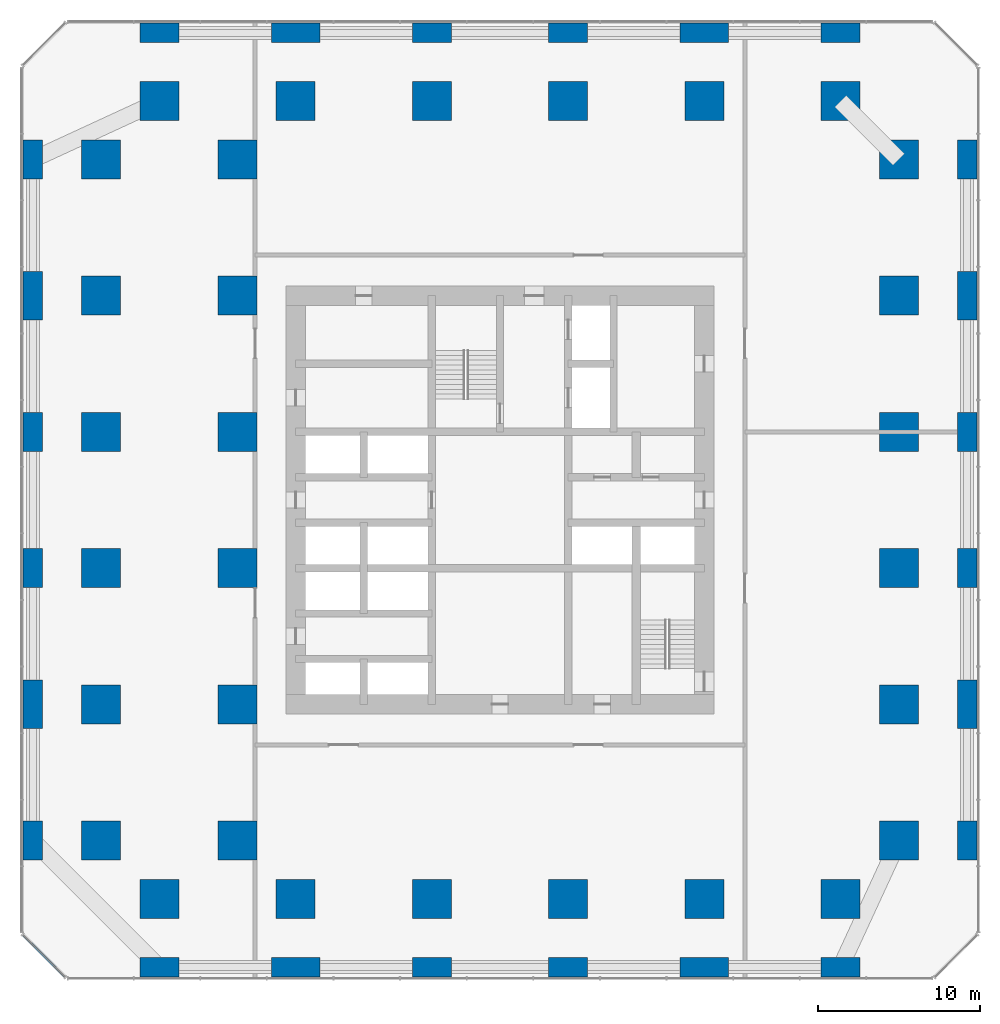
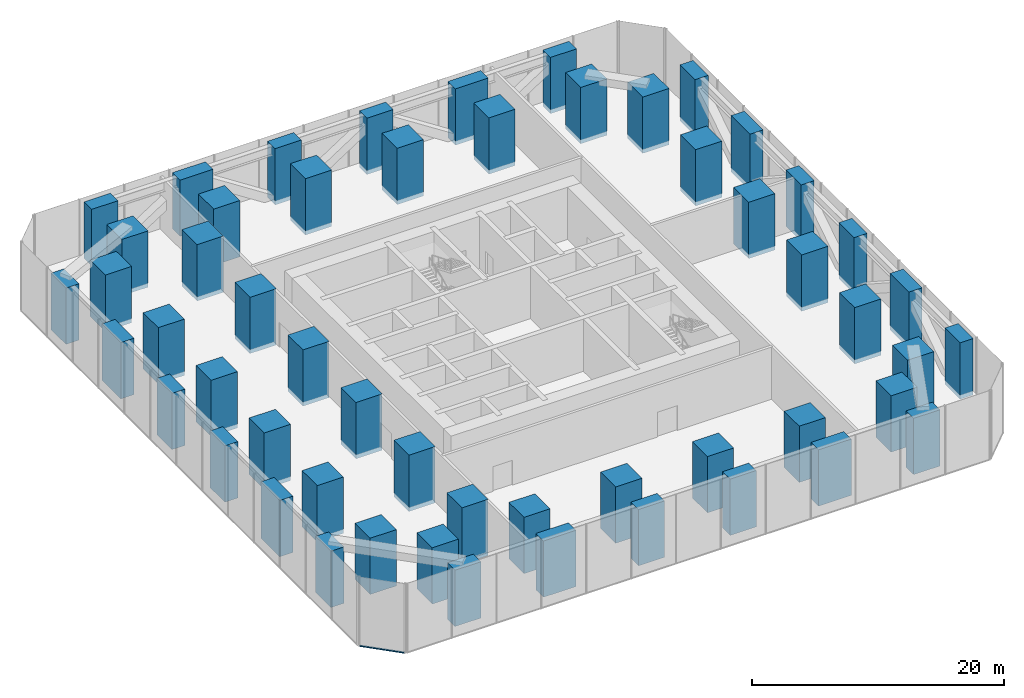
# One storey, part 1 of 11: 54 columns, 1 member, 1 element without a shape of its own.
"""IFC4 building model written with IfcOpenShell, lengths in metres."""

from ifc_helpers import new_model, si_unit, direction, frame, origin, origin_2d, place, context, subcontext, project, spatial, rectangle, extrude, material, material_profile, profile_set, type_object, element, aggregate, save


model = new_model("IFC4")

# Units and contexts
model_context = context("Model", 3, precision=1e-05, world=origin(), true_north=direction((0.0, 1.0)))
body_context = subcontext(model_context, "Body", "Model", "MODEL_VIEW")
ifc_project = project(units=[si_unit("LENGTHUNIT", "METRE"), si_unit("AREAUNIT", "SQUARE_METRE"), si_unit("VOLUMEUNIT", "CUBIC_METRE"), si_unit("PLANEANGLEUNIT", "RADIAN"), si_unit("MASSUNIT", "GRAM", prefix="KILO")], contexts=[model_context])

# Site, building, storey
site_placement = place(None, origin())
site = spatial("IfcSite", under=ifc_project, at=site_placement, CompositionType="ELEMENT")
building_placement = place(site_placement, origin())
building = spatial("IfcBuilding", under=site, at=building_placement, Name="Dunama Terrace Hotel", CompositionType="ELEMENT")
storey_placement = place(building_placement, frame((0.0, 0.0, 88.199951171875)))
storey = spatial("IfcBuildingStorey", under=building, at=storey_placement, Name="L22", CompositionType="ELEMENT", Elevation=88.199951171875)

# Columns
ifc_material_1 = material(Name="Concrete C60/75", Category="concrete")
ifc_material_profile_1 = material_profile(ifc_material_1, rectangle(XDim=1.199951171875, YDim=2.39990234375, at=origin_2d()), Name="RC 1200x2400")
ifc_profile_set_1 = profile_set([ifc_material_profile_1], Name="Concrete C60/75")
column_type_1 = type_object("IfcColumnType", Name="Column RC 1200x2400", PredefinedType="COLUMN", material=ifc_profile_set_1)
for number, where, z_axis, x_axis, name in (
    (1, (0.60009765625, 8.39990234375, -0.39990234375), (0.0, 0.0, 1.0), (1.0, 0.0, 0.0), "Column L22 +0.6/+8.4"),
    (2, (0.60009765625, 25.199951171875, -0.39990234375), (0.0, 0.0, 1.0), (1.0, 0.0, 0.0), "Column L22 +0.6/+25.2"),
    (3, (0.60009765625, 33.60009765625, -0.39990234375), (0.0, 0.0, 1.0), (1.0, 0.0, 0.0), "Column L22 +0.6/+33.6"),
    (4, (0.60009765625, 50.39990234375, -0.39990234375), (0.0, 0.0, 1.0), (1.0, 0.0, 0.0), "Column L22 +0.6/+50.4"),
    (5, (58.199951171875, 8.39990234375, -0.39990234375), (0.0, 0.0, 1.0), (1.0, 0.0, 0.0), "Column L22 +58.2/+8.4"),
    (6, (58.199951171875, 25.199951171875, -0.39990234375), (0.0, 0.0, 1.0), (1.0, 0.0, 0.0), "Column L22 +58.2/+25.2"),
    (7, (58.199951171875, 33.60009765625, -0.39990234375), (0.0, 0.0, 1.0), (1.0, 0.0, 0.0), "Column L22 +58.2/+33.6"),
    (8, (58.199951171875, 50.39990234375, -0.39990234375), (0.0, 0.0, 1.0), (1.0, 0.0, 0.0), "Column L22 +58.2/+50.4"),
):
    element("IfcColumn", number, at=place(storey_placement, frame(where, z_axis=z_axis, x_axis=x_axis)), inside=storey, type_object=column_type_1, Name=name, PredefinedType="COLUMN", context=body_context, shape_type="SweptSolid", body=[
        extrude(rectangle(XDim=1.199951171875, YDim=2.39990234375, at=origin_2d()), origin(), (0.0, 0.0, 1.0), 5.449951171875),
    ])
ifc_material_2 = material(Name="Concrete C60/75", Category="concrete")
ifc_material_profile_2 = material_profile(ifc_material_2, rectangle(XDim=1.199951171875, YDim=3.0, at=origin_2d()), Name="RC 1200x3000")
ifc_profile_set_2 = profile_set([ifc_material_profile_2], Name="Concrete C60/75")
column_type_2 = type_object("IfcColumnType", Name="Column RC 1200x3000", PredefinedType="COLUMN", material=ifc_profile_set_2)
for number, where, z_axis, x_axis, name in (
    (9, (0.60009765625, 16.800048828125, -0.39990234375), (0.0, 0.0, 1.0), (1.0, 0.0, 0.0), "Column L22 +0.6/+16.8"),
    (10, (0.60009765625, 42.0, -0.39990234375), (0.0, 0.0, 1.0), (1.0, 0.0, 0.0), "Column L22 +0.6/+42.0"),
    (11, (58.199951171875, 16.800048828125, -0.39990234375), (0.0, 0.0, 1.0), (1.0, 0.0, 0.0), "Column L22 +58.2/+16.8"),
    (12, (58.199951171875, 42.0, -0.39990234375), (0.0, 0.0, 1.0), (1.0, 0.0, 0.0), "Column L22 +58.2/+42.0"),
):
    element("IfcColumn", number, at=place(storey_placement, frame(where, z_axis=z_axis, x_axis=x_axis)), inside=storey, type_object=column_type_2, Name=name, PredefinedType="COLUMN", context=body_context, shape_type="SweptSolid", body=[
        extrude(rectangle(XDim=1.199951171875, YDim=3.0, at=origin_2d()), origin(), (0.0, 0.0, 1.0), 5.449951171875),
    ])
ifc_material_3 = material(Name="Concrete C60/75", Category="concrete")
ifc_material_profile_3 = material_profile(ifc_material_3, rectangle(XDim=2.39990234375, YDim=1.199951171875, at=origin_2d()), Name="RC 2400x1200")
ifc_profile_set_3 = profile_set([ifc_material_profile_3], Name="Concrete C60/75")
column_type_3 = type_object("IfcColumnType", Name="Column RC 2400x1200", PredefinedType="COLUMN", material=ifc_profile_set_3)
for number, where, z_axis, x_axis, name in (
    (13, (8.39990234375, 0.60009765625, -0.39990234375), (0.0, 0.0, 1.0), (1.0, 0.0, 0.0), "Column L22 +8.4/+0.6"),
    (14, (8.39990234375, 58.199951171875, -0.39990234375), (0.0, 0.0, 1.0), (1.0, 0.0, 0.0), "Column L22 +8.4/+58.2"),
    (15, (25.199951171875, 0.60009765625, -0.39990234375), (0.0, 0.0, 1.0), (1.0, 0.0, 0.0), "Column L22 +25.2/+0.6"),
    (16, (25.199951171875, 58.199951171875, -0.39990234375), (0.0, 0.0, 1.0), (1.0, 0.0, 0.0), "Column L22 +25.2/+58.2"),
    (17, (33.60009765625, 0.60009765625, -0.39990234375), (0.0, 0.0, 1.0), (1.0, 0.0, 0.0), "Column L22 +33.6/+0.6"),
    (18, (33.60009765625, 58.199951171875, -0.39990234375), (0.0, 0.0, 1.0), (1.0, 0.0, 0.0), "Column L22 +33.6/+58.2"),
    (19, (50.39990234375, 0.60009765625, -0.39990234375), (0.0, 0.0, 1.0), (1.0, 0.0, 0.0), "Column L22 +50.4/+0.6"),
    (20, (50.39990234375, 58.199951171875, -0.39990234375), (0.0, 0.0, 1.0), (1.0, 0.0, 0.0), "Column L22 +50.4/+58.2"),
):
    element("IfcColumn", number, at=place(storey_placement, frame(where, z_axis=z_axis, x_axis=x_axis)), inside=storey, type_object=column_type_3, Name=name, PredefinedType="COLUMN", context=body_context, shape_type="SweptSolid", body=[
        extrude(rectangle(XDim=2.39990234375, YDim=1.199951171875, at=origin_2d()), origin(), (0.0, 0.0, 1.0), 5.449951171875),
    ])
ifc_material_4 = material(Name="Concrete C60/75", Category="concrete")
ifc_material_profile_4 = material_profile(ifc_material_4, rectangle(XDim=2.39990234375, YDim=2.39990234375, at=origin_2d()), Name="RC 2400x2400")
ifc_profile_set_4 = profile_set([ifc_material_profile_4], Name="Concrete C60/75")
column_type_4 = type_object("IfcColumnType", Name="Column RC 2400x2400", PredefinedType="COLUMN", material=ifc_profile_set_4)
for number, where, z_axis, x_axis, name in (
    (21, (4.800048828125, 8.39990234375, -0.39990234375), (0.0, 0.0, 1.0), (1.0, 0.0, 0.0), "Column L22 +4.8/+8.4"),
    (22, (4.800048828125, 16.800048828125, -0.39990234375), (0.0, 0.0, 1.0), (1.0, 0.0, 0.0), "Column L22 +4.8/+16.8"),
    (23, (4.800048828125, 25.199951171875, -0.39990234375), (0.0, 0.0, 1.0), (1.0, 0.0, 0.0), "Column L22 +4.8/+25.2"),
    (24, (4.800048828125, 33.60009765625, -0.39990234375), (0.0, 0.0, 1.0), (1.0, 0.0, 0.0), "Column L22 +4.8/+33.6"),
    (25, (4.800048828125, 42.0, -0.39990234375), (0.0, 0.0, 1.0), (1.0, 0.0, 0.0), "Column L22 +4.8/+42.0"),
    (26, (4.800048828125, 50.39990234375, -0.39990234375), (0.0, 0.0, 1.0), (1.0, 0.0, 0.0), "Column L22 +4.8/+50.4"),
    (27, (8.39990234375, 4.800048828125, -0.39990234375), (0.0, 0.0, 1.0), (1.0, 0.0, 0.0), "Column L22 +8.4/+4.8"),
    (28, (8.39990234375, 54.0, -0.39990234375), (0.0, 0.0, 1.0), (1.0, 0.0, 0.0), "Column L22 +8.4/+54.0"),
    (29, (13.199951171875, 8.39990234375, -0.39990234375), (0.0, 0.0, 1.0), (1.0, 0.0, 0.0), "Column L22 +13.2/+8.4"),
    (30, (13.199951171875, 16.800048828125, -0.39990234375), (0.0, 0.0, 1.0), (1.0, 0.0, 0.0), "Column L22 +13.2/+16.8"),
    (31, (13.199951171875, 25.199951171875, -0.39990234375), (0.0, 0.0, 1.0), (1.0, 0.0, 0.0), "Column L22 +13.2/+25.2"),
    (32, (13.199951171875, 33.60009765625, -0.39990234375), (0.0, 0.0, 1.0), (1.0, 0.0, 0.0), "Column L22 +13.2/+33.6"),
    (33, (13.199951171875, 42.0, -0.39990234375), (0.0, 0.0, 1.0), (1.0, 0.0, 0.0), "Column L22 +13.2/+42.0"),
    (34, (13.199951171875, 50.39990234375, -0.39990234375), (0.0, 0.0, 1.0), (1.0, 0.0, 0.0), "Column L22 +13.2/+50.4"),
    (35, (16.800048828125, 4.800048828125, -0.39990234375), (0.0, 0.0, 1.0), (1.0, 0.0, 0.0), "Column L22 +16.8/+4.8"),
    (36, (16.800048828125, 54.0, -0.39990234375), (0.0, 0.0, 1.0), (1.0, 0.0, 0.0), "Column L22 +16.8/+54.0"),
    (37, (25.199951171875, 4.800048828125, -0.39990234375), (0.0, 0.0, 1.0), (1.0, 0.0, 0.0), "Column L22 +25.2/+4.8"),
    (38, (25.199951171875, 54.0, -0.39990234375), (0.0, 0.0, 1.0), (1.0, 0.0, 0.0), "Column L22 +25.2/+54.0"),
    (39, (33.60009765625, 4.800048828125, -0.39990234375), (0.0, 0.0, 1.0), (1.0, 0.0, 0.0), "Column L22 +33.6/+4.8"),
    (40, (33.60009765625, 54.0, -0.39990234375), (0.0, 0.0, 1.0), (1.0, 0.0, 0.0), "Column L22 +33.6/+54.0"),
    (41, (42.0, 4.800048828125, -0.39990234375), (0.0, 0.0, 1.0), (1.0, 0.0, 0.0), "Column L22 +42.0/+4.8"),
    (42, (42.0, 54.0, -0.39990234375), (0.0, 0.0, 1.0), (1.0, 0.0, 0.0), "Column L22 +42.0/+54.0"),
    (43, (50.39990234375, 4.800048828125, -0.39990234375), (0.0, 0.0, 1.0), (1.0, 0.0, 0.0), "Column L22 +50.4/+4.8"),
    (44, (50.39990234375, 54.0, -0.39990234375), (0.0, 0.0, 1.0), (1.0, 0.0, 0.0), "Column L22 +50.4/+54.0"),
    (45, (54.0, 8.39990234375, -0.39990234375), (0.0, 0.0, 1.0), (1.0, 0.0, 0.0), "Column L22 +54.0/+8.4"),
    (46, (54.0, 16.800048828125, -0.39990234375), (0.0, 0.0, 1.0), (1.0, 0.0, 0.0), "Column L22 +54.0/+16.8"),
    (47, (54.0, 25.199951171875, -0.39990234375), (0.0, 0.0, 1.0), (1.0, 0.0, 0.0), "Column L22 +54.0/+25.2"),
    (48, (54.0, 33.60009765625, -0.39990234375), (0.0, 0.0, 1.0), (1.0, 0.0, 0.0), "Column L22 +54.0/+33.6"),
    (49, (54.0, 42.0, -0.39990234375), (0.0, 0.0, 1.0), (1.0, 0.0, 0.0), "Column L22 +54.0/+42.0"),
    (50, (54.0, 50.39990234375, -0.39990234375), (0.0, 0.0, 1.0), (1.0, 0.0, 0.0), "Column L22 +54.0/+50.4"),
):
    element("IfcColumn", number, at=place(storey_placement, frame(where, z_axis=z_axis, x_axis=x_axis)), inside=storey, type_object=column_type_4, Name=name, PredefinedType="COLUMN", context=body_context, shape_type="SweptSolid", body=[
        extrude(rectangle(XDim=2.39990234375, YDim=2.39990234375, at=origin_2d()), origin(), (0.0, 0.0, 1.0), 5.449951171875),
    ])
ifc_material_5 = material(Name="Concrete C60/75", Category="concrete")
ifc_material_profile_5 = material_profile(ifc_material_5, rectangle(XDim=3.0, YDim=1.199951171875, at=origin_2d()), Name="RC 3000x1200")
ifc_profile_set_5 = profile_set([ifc_material_profile_5], Name="Concrete C60/75")
column_type_5 = type_object("IfcColumnType", Name="Column RC 3000x1200", PredefinedType="COLUMN", material=ifc_profile_set_5)
for number, where, z_axis, x_axis, name in (
    (51, (16.800048828125, 0.60009765625, -0.39990234375), (0.0, 0.0, 1.0), (1.0, 0.0, 0.0), "Column L22 +16.8/+0.6"),
    (52, (16.800048828125, 58.199951171875, -0.39990234375), (0.0, 0.0, 1.0), (1.0, 0.0, 0.0), "Column L22 +16.8/+58.2"),
    (53, (42.0, 0.60009765625, -0.39990234375), (0.0, 0.0, 1.0), (1.0, 0.0, 0.0), "Column L22 +42.0/+0.6"),
    (54, (42.0, 58.199951171875, -0.39990234375), (0.0, 0.0, 1.0), (1.0, 0.0, 0.0), "Column L22 +42.0/+58.2"),
):
    element("IfcColumn", number, at=place(storey_placement, frame(where, z_axis=z_axis, x_axis=x_axis)), inside=storey, type_object=column_type_5, Name=name, PredefinedType="COLUMN", context=body_context, shape_type="SweptSolid", body=[
        extrude(rectangle(XDim=3.0, YDim=1.199951171875, at=origin_2d()), origin(), (0.0, 0.0, 1.0), 5.449951171875),
    ])

# Curtain wall, member
ifc_material_6 = material(Name="Aluminium curtain wall system", Category="aluminium")
curtain_wall_type = type_object("IfcCurtainWallType", Name="Plant floor louvred glazing CW-G", PredefinedType="NOTDEFINED", material=ifc_material_6)
curtain_wall_placement = place(storey_placement, origin())
curtain_wall = element("IfcCurtainWall", 55, at=curtain_wall_placement, inside=storey, type_object=curtain_wall_type, Name="Plant floor louvred glazing CW-G L22", PredefinedType="NOTDEFINED")
ifc_material_7 = material(Name="Aluminium transom", Category="aluminium")
ifc_material_profile_6 = material_profile(ifc_material_7, rectangle(XDim=0.159912109375, YDim=0.0849609375, at=origin_2d()), Name="CWG TRANSOM 160X85")
ifc_profile_set_6 = profile_set([ifc_material_profile_6], Name="Aluminium transom")
member_type = type_object("IfcMemberType", Name="CWG transom 160x85", PredefinedType="USERDEFINED", material=ifc_profile_set_6)
member_placement = place(storey_placement, frame((-0.01806640625, 2.575927734375, -1.278564453125), z_axis=(0.707106781187, -0.707106781187, 0.0), x_axis=(0.707106781187, 0.707106781187, 0.0)))
member = element("IfcMember", 56, at=member_placement, type_object=member_type, Name="CWG transom", ObjectType="TRANSOM", PredefinedType="USERDEFINED", context=body_context, shape_type="SweptSolid", body=[
    extrude(rectangle(XDim=0.159912109375, YDim=0.0849609375, at=origin_2d()), origin(), (0.0, 0.0, 1.0), 3.66845703125),
])
aggregate(curtain_wall, [member])

save(model, "model.ifc")
